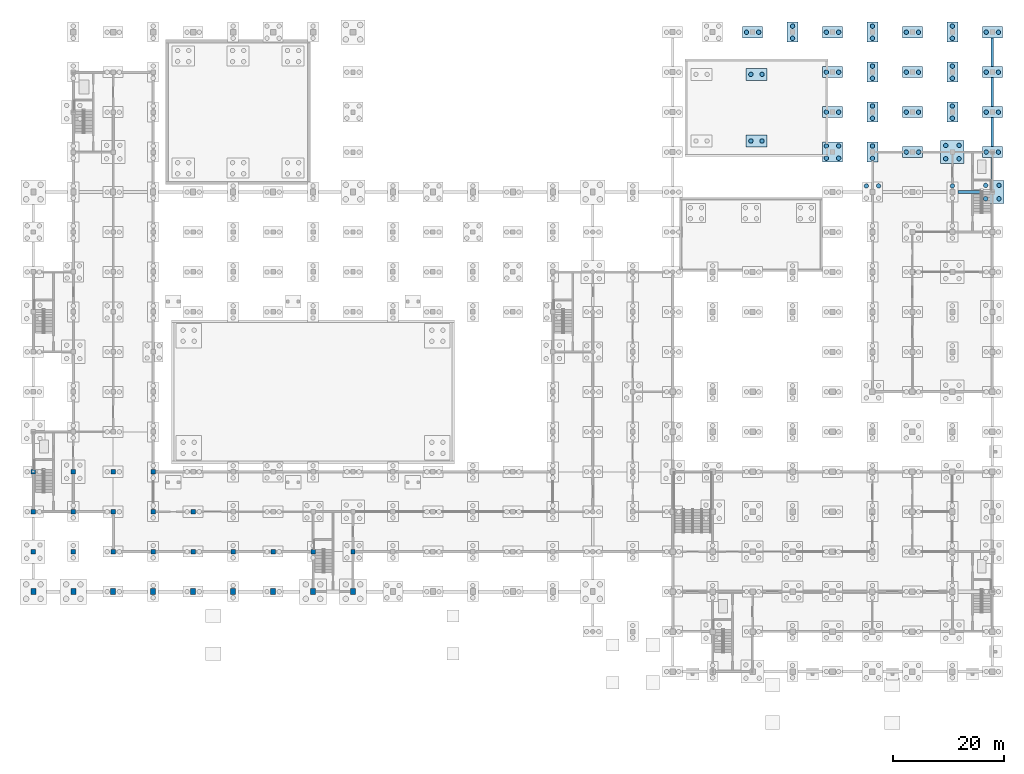
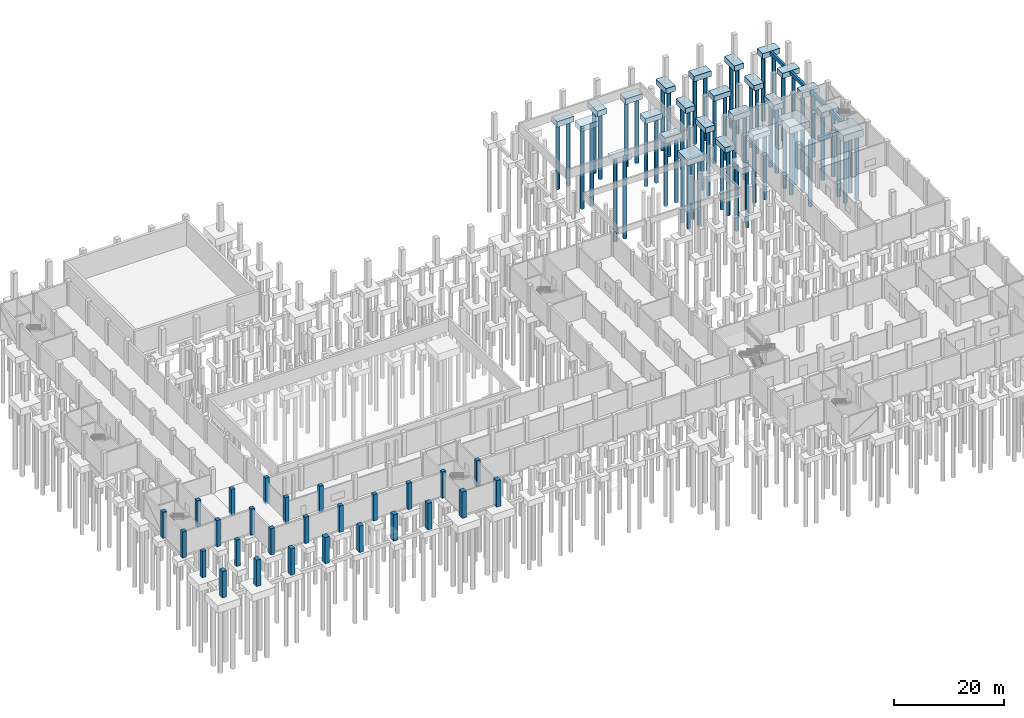
# One storey, part 9 of 35: 59 piles, 30 footings, 27 columns.
"""IFC4 building model written with IfcOpenShell, lengths in metres."""

from ifc_helpers import new_model, si_unit, direction, frame, origin, origin_2d, place, context, subcontext, project, spatial, polyline, rectangle, circle, outline, extrude, material, material_profile, profile_set, type_object, element, save


model = new_model("IFC4")

# Units and contexts
model_context = context("Model", 3, precision=1e-05, world=origin(), true_north=direction((0.0, 1.0)))
body_context = subcontext(model_context, "Body", "Model", "MODEL_VIEW")
ifc_project = project(units=[si_unit("LENGTHUNIT", "METRE"), si_unit("AREAUNIT", "SQUARE_METRE"), si_unit("VOLUMEUNIT", "CUBIC_METRE"), si_unit("PLANEANGLEUNIT", "RADIAN"), si_unit("MASSUNIT", "GRAM", prefix="KILO")], contexts=[model_context])

# Site, building, storey
site_placement = place(None, origin())
site = spatial("IfcSite", under=ifc_project, at=site_placement, CompositionType="ELEMENT")
building_placement = place(site_placement, origin())
building = spatial("IfcBuilding", under=site, at=building_placement, Name="Vesperath Aquatics Centre", CompositionType="ELEMENT")
storey_placement = place(building_placement, frame((0.0, 0.0, -5.39990234375)))
storey = spatial("IfcBuildingStorey", under=building, at=storey_placement, Name="B1", CompositionType="ELEMENT", Elevation=-5.39990234375)

# Footings
ifc_material_1 = material(Name="Concrete C40", Category="concrete")
footing_type_1 = type_object("IfcFootingType", Name="FT-GB02", PredefinedType="FOOTING_BEAM", material=ifc_material_1)
footing_1_placement = place(storey_placement, frame((0.0, 0.0, -1.2001953125)))
element("IfcFooting", 1, at=footing_1_placement, inside=storey, type_object=footing_type_1, Name="Foundation Ground Beam GB02 25 N-P", PredefinedType="FOOTING_BEAM", context=body_context, shape_type="SweptSolid", body=[
    extrude(outline(polyline([(172.550048828125, 88.5), (173.050048828125, 88.5), (173.050048828125, 92.60009765625), (172.550048828125, 92.60009765625), (172.550048828125, 88.5)])), origin(), (0.0, 0.0, 1.0), 0.75),
])
footing_2_placement = place(storey_placement, frame((0.0, 0.0, -1.2001953125)))
element("IfcFooting", 2, at=footing_2_placement, inside=storey, type_object=footing_type_1, Name="Foundation Ground Beam GB02 25 P-Q", PredefinedType="FOOTING_BEAM", context=body_context, shape_type="SweptSolid", body=[
    extrude(outline(polyline([(172.550048828125, 94.60009765625), (173.050048828125, 94.60009765625), (173.050048828125, 99.800048828125), (172.550048828125, 99.800048828125), (172.550048828125, 94.60009765625)])), origin(), (0.0, 0.0, 1.0), 0.75),
])
footing_3_placement = place(storey_placement, frame((0.0, 0.0, -1.2001953125)))
element("IfcFooting", 3, at=footing_3_placement, inside=storey, type_object=footing_type_1, Name="Foundation Ground Beam GB02 25 Q-R", PredefinedType="FOOTING_BEAM", context=body_context, shape_type="SweptSolid", body=[
    extrude(outline(polyline([(172.550048828125, 101.800048828125), (173.050048828125, 101.800048828125), (173.050048828125, 107.0), (172.550048828125, 107.0), (172.550048828125, 101.800048828125)])), origin(), (0.0, 0.0, 1.0), 0.75),
])
footing_4_placement = place(storey_placement, frame((0.0, 0.0, -1.2001953125)))
element("IfcFooting", 4, at=footing_4_placement, inside=storey, type_object=footing_type_1, Name="Foundation Ground Beam GB02 25 R-S", PredefinedType="FOOTING_BEAM", context=body_context, shape_type="SweptSolid", body=[
    extrude(outline(polyline([(172.550048828125, 109.0), (173.050048828125, 109.0), (173.050048828125, 114.199951171875), (172.550048828125, 114.199951171875), (172.550048828125, 109.0)])), origin(), (0.0, 0.0, 1.0), 0.75),
])
footing_type_2 = type_object("IfcFootingType", Name="FT-GB03", PredefinedType="FOOTING_BEAM", material=ifc_material_1)
footing_5_placement = place(storey_placement, frame((0.0, 0.0, -1.300048828125)))
element("IfcFooting", 5, at=footing_5_placement, inside=storey, type_object=footing_type_2, Name="Foundation Ground Beam GB03 N 24-25", PredefinedType="FOOTING_BEAM", context=body_context, shape_type="SweptSolid", body=[
    extrude(outline(polyline([(166.60009765625, 86.10009765625), (170.699951171875, 86.10009765625), (170.699951171875, 86.699951171875), (166.60009765625, 86.699951171875), (166.60009765625, 86.10009765625)])), origin(), (0.0, 0.0, 1.0), 0.849853515625),
])
footing_type_3 = type_object("IfcFootingType", Name="FT-PC01", PredefinedType="PILE_CAP", material=ifc_material_1)
for number, where, z_axis, x_axis, name in (
    (6, (129.60009765625, 115.199951171875, -1.64990234375), (0.0, 0.0, 1.0), (1.0, 0.0, 0.0), "Pile Cap PC01 at 19/S"),
    (7, (144.0, 100.800048828125, -1.64990234375), (0.0, 0.0, 1.0), (1.0, 0.0, 0.0), "Pile Cap PC01 at 21/Q"),
    (8, (144.0, 108.0, -1.64990234375), (0.0, 0.0, 1.0), (1.0, 0.0, 0.0), "Pile Cap PC01 at 21/R"),
    (9, (144.0, 115.199951171875, -1.64990234375), (0.0, 0.0, 1.0), (1.0, 0.0, 0.0), "Pile Cap PC01 at 21/S"),
    (10, (158.39990234375, 93.60009765625, -1.64990234375), (0.0, 0.0, 1.0), (1.0, 0.0, 0.0), "Pile Cap PC01 at 23/P"),
    (11, (158.39990234375, 100.800048828125, -1.64990234375), (0.0, 0.0, 1.0), (1.0, 0.0, 0.0), "Pile Cap PC01 at 23/Q"),
    (12, (158.39990234375, 108.0, -1.64990234375), (0.0, 0.0, 1.0), (1.0, 0.0, 0.0), "Pile Cap PC01 at 23/R"),
    (13, (158.39990234375, 115.199951171875, -1.64990234375), (0.0, 0.0, 1.0), (1.0, 0.0, 0.0), "Pile Cap PC01 at 23/S"),
    (14, (172.800048828125, 93.60009765625, -1.64990234375), (0.0, 0.0, 1.0), (1.0, 0.0, 0.0), "Pile Cap PC01 at 25/P"),
    (15, (172.800048828125, 100.800048828125, -1.64990234375), (0.0, 0.0, 1.0), (1.0, 0.0, 0.0), "Pile Cap PC01 at 25/Q"),
    (16, (172.800048828125, 108.0, -1.64990234375), (0.0, 0.0, 1.0), (1.0, 0.0, 0.0), "Pile Cap PC01 at 25/R"),
    (17, (172.800048828125, 115.199951171875, -1.64990234375), (0.0, 0.0, 1.0), (1.0, 0.0, 0.0), "Pile Cap PC01 at 25/S"),
):
    element("IfcFooting", number, at=place(storey_placement, frame(where, z_axis=z_axis, x_axis=x_axis)), inside=storey, type_object=footing_type_3, Name=name, PredefinedType="PILE_CAP", context=body_context, shape_type="SweptSolid", body=[
        extrude(rectangle(XDim=3.60009765625, YDim=2.0, at=origin_2d()), origin(), (0.0, 0.0, 1.0), 1.199951171875),
    ])
footing_type_4 = type_object("IfcFootingType", Name="FT-PC02", PredefinedType="PILE_CAP", material=ifc_material_1)
for number, where, z_axis, x_axis, name in (
    (18, (136.800048828125, 115.199951171875, -1.64990234375), (0.0, 0.0, 1.0), (1.0, 0.0, 0.0), "Pile Cap PC02 at 20/S"),
    (19, (151.199951171875, 93.60009765625, -1.64990234375), (0.0, 0.0, 1.0), (1.0, 0.0, 0.0), "Pile Cap PC02 at 22/P"),
    (20, (151.199951171875, 100.800048828125, -1.64990234375), (0.0, 0.0, 1.0), (1.0, 0.0, 0.0), "Pile Cap PC02 at 22/Q"),
    (21, (151.199951171875, 108.0, -1.64990234375), (0.0, 0.0, 1.0), (1.0, 0.0, 0.0), "Pile Cap PC02 at 22/R"),
    (22, (151.199951171875, 115.199951171875, -1.64990234375), (0.0, 0.0, 1.0), (1.0, 0.0, 0.0), "Pile Cap PC02 at 22/S"),
    (23, (165.60009765625, 100.800048828125, -1.64990234375), (0.0, 0.0, 1.0), (1.0, 0.0, 0.0), "Pile Cap PC02 at 24/Q"),
    (24, (165.60009765625, 108.0, -1.64990234375), (0.0, 0.0, 1.0), (1.0, 0.0, 0.0), "Pile Cap PC02 at 24/R"),
    (25, (165.60009765625, 115.199951171875, -1.64990234375), (0.0, 0.0, 1.0), (1.0, 0.0, 0.0), "Pile Cap PC02 at 24/S"),
):
    element("IfcFooting", number, at=place(storey_placement, frame(where, z_axis=z_axis, x_axis=x_axis)), inside=storey, type_object=footing_type_4, Name=name, PredefinedType="PILE_CAP", context=body_context, shape_type="SweptSolid", body=[
        extrude(rectangle(XDim=2.0, YDim=3.60009765625, at=origin_2d()), origin(), (0.0, 0.0, 1.0), 1.199951171875),
    ])
footing_type_5 = type_object("IfcFootingType", Name="FT-PC03", PredefinedType="PILE_CAP", material=ifc_material_1)
footing_6_placement = place(storey_placement, frame((144.0, 93.60009765625, -1.75), z_axis=(0.0, 0.0, 1.0), x_axis=(1.0, 0.0, 0.0)))
element("IfcFooting", 26, at=footing_6_placement, inside=storey, type_object=footing_type_5, Name="Pile Cap PC03 at 21/P", PredefinedType="PILE_CAP", context=body_context, shape_type="SweptSolid", body=[
    extrude(rectangle(XDim=3.60009765625, YDim=3.60009765625, at=origin_2d()), origin(), (0.0, 0.0, 1.0), 1.300048828125),
])
footing_type_6 = type_object("IfcFootingType", Name="FT-PC06", PredefinedType="PILE_CAP", material=ifc_material_1)
for number, where, z_axis, x_axis, name in (
    (27, (165.60009765625, 93.60009765625, -1.9501953125), (0.0, 0.0, 1.0), (1.0, 0.0, 0.0), "Pile Cap PC06 at 24/P"),
    (28, (172.800048828125, 86.39990234375, -1.9501953125), (0.0, 0.0, 1.0), (1.0, 0.0, 0.0), "Pile Cap PC06 at 25/N"),
):
    element("IfcFooting", number, at=place(storey_placement, frame(where, z_axis=z_axis, x_axis=x_axis)), inside=storey, type_object=footing_type_6, Name=name, PredefinedType="PILE_CAP", context=body_context, shape_type="SweptSolid", body=[
        extrude(rectangle(XDim=4.199951171875, YDim=4.199951171875, at=origin_2d()), origin(), (0.0, 0.0, 1.0), 1.5),
    ])
footing_type_7 = type_object("IfcFootingType", Name="FT-PC10", PredefinedType="PILE_CAP", material=ifc_material_1)
for number, where, z_axis, x_axis, name in (
    (29, (130.300048828125, 95.60009765625, 1.72998046875), (0.0, 0.0, 1.0), (1.0, 0.0, 0.0), "Training and Warm-Up Pool Sub-Basin Pile Cap PC10-3"),
    (30, (130.300048828125, 107.60009765625, 1.72998046875), (0.0, 0.0, 1.0), (1.0, 0.0, 0.0), "Training and Warm-Up Pool Sub-Basin Pile Cap PC10-4"),
):
    element("IfcFooting", number, at=place(storey_placement, frame(where, z_axis=z_axis, x_axis=x_axis)), inside=storey, type_object=footing_type_7, Name=name, PredefinedType="PILE_CAP", context=body_context, shape_type="SweptSolid", body=[
        extrude(rectangle(XDim=3.800048828125, YDim=2.199951171875, at=origin_2d()), origin(), (0.0, 0.0, 1.0), 1.25),
    ])

# Piles
ifc_material_2 = material(Name="Concrete C35", Category="concrete")
ifc_material_profile_1 = material_profile(ifc_material_2, circle(Radius=0.39990234375, at=origin_2d()), Name="PILE D800")
ifc_profile_set_1 = profile_set([ifc_material_profile_1], Name="Concrete C35")
pile_type = type_object("IfcPileType", Name="PL-BP01", PredefinedType="BORED", material=ifc_profile_set_1)
for number, where, z_axis, x_axis, name in (
    (31, (128.5, 115.199951171875, -1.5), (0.0, 0.0, -1.0), (1.0, 0.0, 0.0), "Bored Pile BP01 CAP_18_16-1"),
    (32, (130.699951171875, 115.199951171875, -1.5), (0.0, 0.0, -1.0), (1.0, 0.0, 0.0), "Bored Pile BP01 CAP_18_16-2"),
    (33, (136.800048828125, 114.10009765625, -1.5), (0.0, 0.0, -1.0), (1.0, 0.0, 0.0), "Bored Pile BP01 CAP_19_16-1"),
    (34, (136.800048828125, 116.300048828125, -1.5), (0.0, 0.0, -1.0), (1.0, 0.0, 0.0), "Bored Pile BP01 CAP_19_16-2"),
):
    element("IfcPile", number, at=place(storey_placement, frame(where, z_axis=z_axis, x_axis=x_axis)), inside=storey, type_object=pile_type, Name=name, PredefinedType="BORED", context=body_context, shape_type="SweptSolid", body=[
        extrude(circle(Radius=0.39990234375, at=origin_2d()), origin(), (0.0, 0.0, 1.0), 14.60009765625),
    ])
for number, where, z_axis, x_axis, name in (
    (35, (142.89990234375, 92.5, -1.60009765625), (0.0, 0.0, -1.0), (1.0, 0.0, 0.0), "Bored Pile BP01 CAP_20_13-1"),
    (36, (145.10009765625, 92.5, -1.60009765625), (0.0, 0.0, -1.0), (1.0, 0.0, 0.0), "Bored Pile BP01 CAP_20_13-2"),
    (37, (142.89990234375, 94.699951171875, -1.60009765625), (0.0, 0.0, -1.0), (1.0, 0.0, 0.0), "Bored Pile BP01 CAP_20_13-3"),
    (38, (145.10009765625, 94.699951171875, -1.60009765625), (0.0, 0.0, -1.0), (1.0, 0.0, 0.0), "Bored Pile BP01 CAP_20_13-4"),
):
    element("IfcPile", number, at=place(storey_placement, frame(where, z_axis=z_axis, x_axis=x_axis)), inside=storey, type_object=pile_type, Name=name, PredefinedType="BORED", context=body_context, shape_type="SweptSolid", body=[
        extrude(circle(Radius=0.39990234375, at=origin_2d()), origin(), (0.0, 0.0, 1.0), 14.5),
    ])
for number, where, z_axis, x_axis, name in (
    (39, (142.89990234375, 100.800048828125, -1.5), (0.0, 0.0, -1.0), (1.0, 0.0, 0.0), "Bored Pile BP01 CAP_20_14-1"),
    (40, (145.10009765625, 100.800048828125, -1.5), (0.0, 0.0, -1.0), (1.0, 0.0, 0.0), "Bored Pile BP01 CAP_20_14-2"),
    (41, (142.89990234375, 108.0, -1.5), (0.0, 0.0, -1.0), (1.0, 0.0, 0.0), "Bored Pile BP01 CAP_20_15-1"),
    (42, (145.10009765625, 108.0, -1.5), (0.0, 0.0, -1.0), (1.0, 0.0, 0.0), "Bored Pile BP01 CAP_20_15-2"),
    (43, (142.89990234375, 115.199951171875, -1.5), (0.0, 0.0, -1.0), (1.0, 0.0, 0.0), "Bored Pile BP01 CAP_20_16-1"),
    (44, (145.10009765625, 115.199951171875, -1.5), (0.0, 0.0, -1.0), (1.0, 0.0, 0.0), "Bored Pile BP01 CAP_20_16-2"),
):
    element("IfcPile", number, at=place(storey_placement, frame(where, z_axis=z_axis, x_axis=x_axis)), inside=storey, type_object=pile_type, Name=name, PredefinedType="BORED", context=body_context, shape_type="SweptSolid", body=[
        extrude(circle(Radius=0.39990234375, at=origin_2d()), origin(), (0.0, 0.0, 1.0), 14.60009765625),
    ])
for number, where, z_axis, x_axis, name in (
    (45, (150.10009765625, 87.5, -1.60009765625), (0.0, 0.0, -1.0), (1.0, 0.0, 0.0), "Bored Pile BP01 CAP_21_12-3"),
    (46, (152.300048828125, 87.5, -1.60009765625), (0.0, 0.0, -1.0), (1.0, 0.0, 0.0), "Bored Pile BP01 CAP_21_12-4"),
):
    element("IfcPile", number, at=place(storey_placement, frame(where, z_axis=z_axis, x_axis=x_axis)), inside=storey, type_object=pile_type, Name=name, PredefinedType="BORED", context=body_context, shape_type="SweptSolid", body=[
        extrude(circle(Radius=0.39990234375, at=origin_2d()), origin(), (0.0, 0.0, 1.0), 14.5),
    ])
for number, where, z_axis, x_axis, name in (
    (47, (151.199951171875, 92.5, -1.5), (0.0, 0.0, -1.0), (1.0, 0.0, 0.0), "Bored Pile BP01 CAP_21_13-1"),
    (48, (151.199951171875, 94.699951171875, -1.5), (0.0, 0.0, -1.0), (1.0, 0.0, 0.0), "Bored Pile BP01 CAP_21_13-2"),
    (49, (151.199951171875, 99.699951171875, -1.5), (0.0, 0.0, -1.0), (1.0, 0.0, 0.0), "Bored Pile BP01 CAP_21_14-1"),
    (50, (151.199951171875, 101.89990234375, -1.5), (0.0, 0.0, -1.0), (1.0, 0.0, 0.0), "Bored Pile BP01 CAP_21_14-2"),
    (51, (151.199951171875, 106.89990234375, -1.5), (0.0, 0.0, -1.0), (1.0, 0.0, 0.0), "Bored Pile BP01 CAP_21_15-1"),
    (52, (151.199951171875, 109.10009765625, -1.5), (0.0, 0.0, -1.0), (1.0, 0.0, 0.0), "Bored Pile BP01 CAP_21_15-2"),
    (53, (151.199951171875, 114.10009765625, -1.5), (0.0, 0.0, -1.0), (1.0, 0.0, 0.0), "Bored Pile BP01 CAP_21_16-1"),
    (54, (151.199951171875, 116.300048828125, -1.5), (0.0, 0.0, -1.0), (1.0, 0.0, 0.0), "Bored Pile BP01 CAP_21_16-2"),
    (55, (157.300048828125, 93.60009765625, -1.5), (0.0, 0.0, -1.0), (1.0, 0.0, 0.0), "Bored Pile BP01 CAP_22_13-1"),
    (56, (159.5, 93.60009765625, -1.5), (0.0, 0.0, -1.0), (1.0, 0.0, 0.0), "Bored Pile BP01 CAP_22_13-2"),
    (57, (157.300048828125, 100.800048828125, -1.5), (0.0, 0.0, -1.0), (1.0, 0.0, 0.0), "Bored Pile BP01 CAP_22_14-1"),
    (58, (159.5, 100.800048828125, -1.5), (0.0, 0.0, -1.0), (1.0, 0.0, 0.0), "Bored Pile BP01 CAP_22_14-2"),
    (59, (157.300048828125, 108.0, -1.5), (0.0, 0.0, -1.0), (1.0, 0.0, 0.0), "Bored Pile BP01 CAP_22_15-1"),
    (60, (159.5, 108.0, -1.5), (0.0, 0.0, -1.0), (1.0, 0.0, 0.0), "Bored Pile BP01 CAP_22_15-2"),
    (61, (157.300048828125, 115.199951171875, -1.5), (0.0, 0.0, -1.0), (1.0, 0.0, 0.0), "Bored Pile BP01 CAP_22_16-1"),
    (62, (159.5, 115.199951171875, -1.5), (0.0, 0.0, -1.0), (1.0, 0.0, 0.0), "Bored Pile BP01 CAP_22_16-2"),
    (63, (165.60009765625, 87.5, -1.5), (0.0, 0.0, -1.0), (1.0, 0.0, 0.0), "Bored Pile BP01 CAP_23_12-2"),
):
    element("IfcPile", number, at=place(storey_placement, frame(where, z_axis=z_axis, x_axis=x_axis)), inside=storey, type_object=pile_type, Name=name, PredefinedType="BORED", context=body_context, shape_type="SweptSolid", body=[
        extrude(circle(Radius=0.39990234375, at=origin_2d()), origin(), (0.0, 0.0, 1.0), 14.60009765625),
    ])
for number, where, z_axis, x_axis, name in (
    (64, (164.39990234375, 92.39990234375, -1.800048828125), (0.0, 0.0, -1.0), (1.0, 0.0, 0.0), "Bored Pile BP01 CAP_23_13-1"),
    (65, (166.800048828125, 92.39990234375, -1.800048828125), (0.0, 0.0, -1.0), (1.0, 0.0, 0.0), "Bored Pile BP01 CAP_23_13-2"),
    (66, (164.39990234375, 94.800048828125, -1.800048828125), (0.0, 0.0, -1.0), (1.0, 0.0, 0.0), "Bored Pile BP01 CAP_23_13-3"),
    (67, (166.800048828125, 94.800048828125, -1.800048828125), (0.0, 0.0, -1.0), (1.0, 0.0, 0.0), "Bored Pile BP01 CAP_23_13-4"),
):
    element("IfcPile", number, at=place(storey_placement, frame(where, z_axis=z_axis, x_axis=x_axis)), inside=storey, type_object=pile_type, Name=name, PredefinedType="BORED", context=body_context, shape_type="SweptSolid", body=[
        extrude(circle(Radius=0.39990234375, at=origin_2d()), origin(), (0.0, 0.0, 1.0), 14.300048828125),
    ])
for number, where, z_axis, x_axis, name in (
    (68, (165.60009765625, 99.699951171875, -1.5), (0.0, 0.0, -1.0), (1.0, 0.0, 0.0), "Bored Pile BP01 CAP_23_14-1"),
    (69, (165.60009765625, 101.89990234375, -1.5), (0.0, 0.0, -1.0), (1.0, 0.0, 0.0), "Bored Pile BP01 CAP_23_14-2"),
    (70, (165.60009765625, 106.89990234375, -1.5), (0.0, 0.0, -1.0), (1.0, 0.0, 0.0), "Bored Pile BP01 CAP_23_15-1"),
    (71, (165.60009765625, 109.10009765625, -1.5), (0.0, 0.0, -1.0), (1.0, 0.0, 0.0), "Bored Pile BP01 CAP_23_15-2"),
    (72, (165.60009765625, 114.10009765625, -1.5), (0.0, 0.0, -1.0), (1.0, 0.0, 0.0), "Bored Pile BP01 CAP_23_16-1"),
    (73, (165.60009765625, 116.300048828125, -1.5), (0.0, 0.0, -1.0), (1.0, 0.0, 0.0), "Bored Pile BP01 CAP_23_16-2"),
):
    element("IfcPile", number, at=place(storey_placement, frame(where, z_axis=z_axis, x_axis=x_axis)), inside=storey, type_object=pile_type, Name=name, PredefinedType="BORED", context=body_context, shape_type="SweptSolid", body=[
        extrude(circle(Radius=0.39990234375, at=origin_2d()), origin(), (0.0, 0.0, 1.0), 14.60009765625),
    ])
for number, where, z_axis, x_axis, name in (
    (74, (171.60009765625, 85.199951171875, -1.800048828125), (0.0, 0.0, -1.0), (1.0, 0.0, 0.0), "Bored Pile BP01 CAP_24_12-1"),
    (75, (174.0, 85.199951171875, -1.800048828125), (0.0, 0.0, -1.0), (1.0, 0.0, 0.0), "Bored Pile BP01 CAP_24_12-2"),
    (76, (171.60009765625, 87.60009765625, -1.800048828125), (0.0, 0.0, -1.0), (1.0, 0.0, 0.0), "Bored Pile BP01 CAP_24_12-3"),
    (77, (174.0, 87.60009765625, -1.800048828125), (0.0, 0.0, -1.0), (1.0, 0.0, 0.0), "Bored Pile BP01 CAP_24_12-4"),
):
    element("IfcPile", number, at=place(storey_placement, frame(where, z_axis=z_axis, x_axis=x_axis)), inside=storey, type_object=pile_type, Name=name, PredefinedType="BORED", context=body_context, shape_type="SweptSolid", body=[
        extrude(circle(Radius=0.39990234375, at=origin_2d()), origin(), (0.0, 0.0, 1.0), 14.300048828125),
    ])
for number, where, z_axis, x_axis, name in (
    (78, (171.699951171875, 93.60009765625, -1.5), (0.0, 0.0, -1.0), (1.0, 0.0, 0.0), "Bored Pile BP01 CAP_24_13-1"),
    (79, (173.89990234375, 93.60009765625, -1.5), (0.0, 0.0, -1.0), (1.0, 0.0, 0.0), "Bored Pile BP01 CAP_24_13-2"),
    (80, (171.699951171875, 100.800048828125, -1.5), (0.0, 0.0, -1.0), (1.0, 0.0, 0.0), "Bored Pile BP01 CAP_24_14-1"),
    (81, (173.89990234375, 100.800048828125, -1.5), (0.0, 0.0, -1.0), (1.0, 0.0, 0.0), "Bored Pile BP01 CAP_24_14-2"),
    (82, (171.699951171875, 108.0, -1.5), (0.0, 0.0, -1.0), (1.0, 0.0, 0.0), "Bored Pile BP01 CAP_24_15-1"),
    (83, (173.89990234375, 108.0, -1.5), (0.0, 0.0, -1.0), (1.0, 0.0, 0.0), "Bored Pile BP01 CAP_24_15-2"),
    (84, (171.699951171875, 115.199951171875, -1.5), (0.0, 0.0, -1.0), (1.0, 0.0, 0.0), "Bored Pile BP01 CAP_24_16-1"),
    (85, (173.89990234375, 115.199951171875, -1.5), (0.0, 0.0, -1.0), (1.0, 0.0, 0.0), "Bored Pile BP01 CAP_24_16-2"),
):
    element("IfcPile", number, at=place(storey_placement, frame(where, z_axis=z_axis, x_axis=x_axis)), inside=storey, type_object=pile_type, Name=name, PredefinedType="BORED", context=body_context, shape_type="SweptSolid", body=[
        extrude(circle(Radius=0.39990234375, at=origin_2d()), origin(), (0.0, 0.0, 1.0), 14.60009765625),
    ])
for number, where, z_axis, x_axis, name in (
    (86, (129.300048828125, 95.60009765625, 1.8798828125), (0.0, 0.0, -1.0), (1.0, 0.0, 0.0), "Bored Pile BP01 CAP_POOL_TRAIN_03-1"),
    (87, (131.300048828125, 95.60009765625, 1.8798828125), (0.0, 0.0, -1.0), (1.0, 0.0, 0.0), "Bored Pile BP01 CAP_POOL_TRAIN_03-2"),
    (88, (129.300048828125, 107.60009765625, 1.8798828125), (0.0, 0.0, -1.0), (1.0, 0.0, 0.0), "Bored Pile BP01 CAP_POOL_TRAIN_04-1"),
    (89, (131.300048828125, 107.60009765625, 1.8798828125), (0.0, 0.0, -1.0), (1.0, 0.0, 0.0), "Bored Pile BP01 CAP_POOL_TRAIN_04-2"),
):
    element("IfcPile", number, at=place(storey_placement, frame(where, z_axis=z_axis, x_axis=x_axis)), inside=storey, type_object=pile_type, Name=name, PredefinedType="BORED", context=body_context, shape_type="SweptSolid", body=[
        extrude(circle(Radius=0.39990234375, at=origin_2d()), origin(), (0.0, 0.0, 1.0), 17.97998046875),
    ])

# Columns
ifc_material_profile_2 = material_profile(ifc_material_1, rectangle(XDim=0.89990234375, YDim=1.10009765625, at=origin_2d()), Name="RC 1100x900")
ifc_profile_set_2 = profile_set([ifc_material_profile_2], Name="Concrete C40")
column_type_1 = type_object("IfcColumnType", Name="CL-C01", PredefinedType="COLUMN", material=ifc_profile_set_2)
for number, where, z_axis, x_axis, name in (
    (90, (0.0, 14.39990234375, -0.4501953125), (0.0, 0.0, 1.0), (1.0, 0.0, 0.0), "Column C01 B1 1/C"),
    (91, (7.199951171875, 14.39990234375, -0.4501953125), (0.0, 0.0, 1.0), (1.0, 0.0, 0.0), "Column C01 B1 2/C"),
    (92, (14.39990234375, 14.39990234375, -0.4501953125), (0.0, 0.0, 1.0), (1.0, 0.0, 0.0), "Column C01 B1 3/C"),
    (93, (21.60009765625, 14.39990234375, -0.4501953125), (0.0, 0.0, 1.0), (1.0, 0.0, 0.0), "Column C01 B1 4/C"),
    (94, (28.800048828125, 14.39990234375, -0.4501953125), (0.0, 0.0, 1.0), (1.0, 0.0, 0.0), "Column C01 B1 5/C"),
    (95, (36.0, 14.39990234375, -0.4501953125), (0.0, 0.0, 1.0), (1.0, 0.0, 0.0), "Column C01 B1 6/C"),
    (96, (43.199951171875, 14.39990234375, -0.4501953125), (0.0, 0.0, 1.0), (1.0, 0.0, 0.0), "Column C01 B1 7/C"),
    (97, (50.39990234375, 14.39990234375, -0.4501953125), (0.0, 0.0, 1.0), (1.0, 0.0, 0.0), "Column C01 B1 8/C"),
    (98, (57.60009765625, 14.39990234375, -0.4501953125), (0.0, 0.0, 1.0), (1.0, 0.0, 0.0), "Column C01 B1 9/C"),
):
    element("IfcColumn", number, at=place(storey_placement, frame(where, z_axis=z_axis, x_axis=x_axis)), inside=storey, type_object=column_type_1, Name=name, PredefinedType="COLUMN", context=body_context, shape_type="SweptSolid", body=[
        extrude(rectangle(XDim=0.89990234375, YDim=1.10009765625, at=origin_2d()), origin(), (0.0, 0.0, 1.0), 5.85009765625),
    ])
ifc_material_profile_3 = material_profile(ifc_material_1, rectangle(XDim=0.800048828125, YDim=0.800048828125, at=origin_2d()), Name="RC 800x800")
ifc_profile_set_3 = profile_set([ifc_material_profile_3], Name="Concrete C40")
column_type_2 = type_object("IfcColumnType", Name="CL-C04", PredefinedType="COLUMN", material=ifc_profile_set_3)
for number, where, z_axis, x_axis, name in (
    (99, (0.0, 21.60009765625, -0.4501953125), (0.0, 0.0, 1.0), (1.0, 0.0, 0.0), "Column C04 B1 1/D"),
    (100, (0.0, 28.800048828125, -0.4501953125), (0.0, 0.0, 1.0), (1.0, 0.0, 0.0), "Column C04 B1 1/E"),
    (101, (0.0, 36.0, -0.4501953125), (0.0, 0.0, 1.0), (1.0, 0.0, 0.0), "Column C04 B1 1/F"),
    (102, (7.199951171875, 21.60009765625, -0.4501953125), (0.0, 0.0, 1.0), (1.0, 0.0, 0.0), "Column C04 B1 2/D"),
    (103, (7.199951171875, 28.800048828125, -0.4501953125), (0.0, 0.0, 1.0), (1.0, 0.0, 0.0), "Column C04 B1 2/E"),
    (104, (7.199951171875, 36.0, -0.4501953125), (0.0, 0.0, 1.0), (1.0, 0.0, 0.0), "Column C04 B1 2/F"),
    (105, (14.39990234375, 21.60009765625, -0.4501953125), (0.0, 0.0, 1.0), (1.0, 0.0, 0.0), "Column C04 B1 3/D"),
    (106, (14.39990234375, 28.800048828125, -0.4501953125), (0.0, 0.0, 1.0), (1.0, 0.0, 0.0), "Column C04 B1 3/E"),
    (107, (14.39990234375, 36.0, -0.4501953125), (0.0, 0.0, 1.0), (1.0, 0.0, 0.0), "Column C04 B1 3/F"),
    (108, (21.60009765625, 21.60009765625, -0.4501953125), (0.0, 0.0, 1.0), (1.0, 0.0, 0.0), "Column C04 B1 4/D"),
    (109, (21.60009765625, 28.800048828125, -0.4501953125), (0.0, 0.0, 1.0), (1.0, 0.0, 0.0), "Column C04 B1 4/E"),
    (110, (21.60009765625, 36.0, -0.4501953125), (0.0, 0.0, 1.0), (1.0, 0.0, 0.0), "Column C04 B1 4/F"),
    (111, (28.800048828125, 21.60009765625, -0.4501953125), (0.0, 0.0, 1.0), (1.0, 0.0, 0.0), "Column C04 B1 5/D"),
    (112, (28.800048828125, 28.800048828125, -0.4501953125), (0.0, 0.0, 1.0), (1.0, 0.0, 0.0), "Column C04 B1 5/E"),
    (113, (36.0, 21.60009765625, -0.4501953125), (0.0, 0.0, 1.0), (1.0, 0.0, 0.0), "Column C04 B1 6/D"),
    (114, (43.199951171875, 21.60009765625, -0.4501953125), (0.0, 0.0, 1.0), (1.0, 0.0, 0.0), "Column C04 B1 7/D"),
    (115, (50.39990234375, 21.60009765625, -0.4501953125), (0.0, 0.0, 1.0), (1.0, 0.0, 0.0), "Column C04 B1 8/D"),
    (116, (57.60009765625, 21.60009765625, -0.4501953125), (0.0, 0.0, 1.0), (1.0, 0.0, 0.0), "Column C04 B1 9/D"),
):
    element("IfcColumn", number, at=place(storey_placement, frame(where, z_axis=z_axis, x_axis=x_axis)), inside=storey, type_object=column_type_2, Name=name, PredefinedType="COLUMN", context=body_context, shape_type="SweptSolid", body=[
        extrude(rectangle(XDim=0.800048828125, YDim=0.800048828125, at=origin_2d()), origin(), (0.0, 0.0, 1.0), 5.85009765625),
    ])

save(model, "model.ifc")
